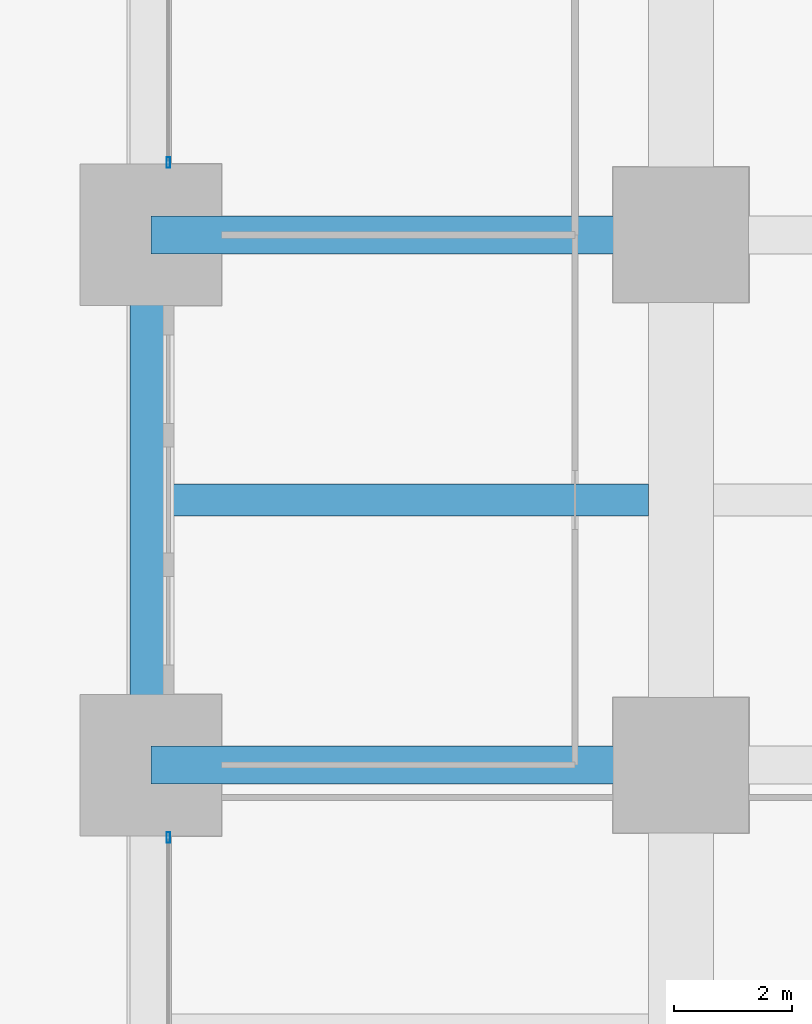
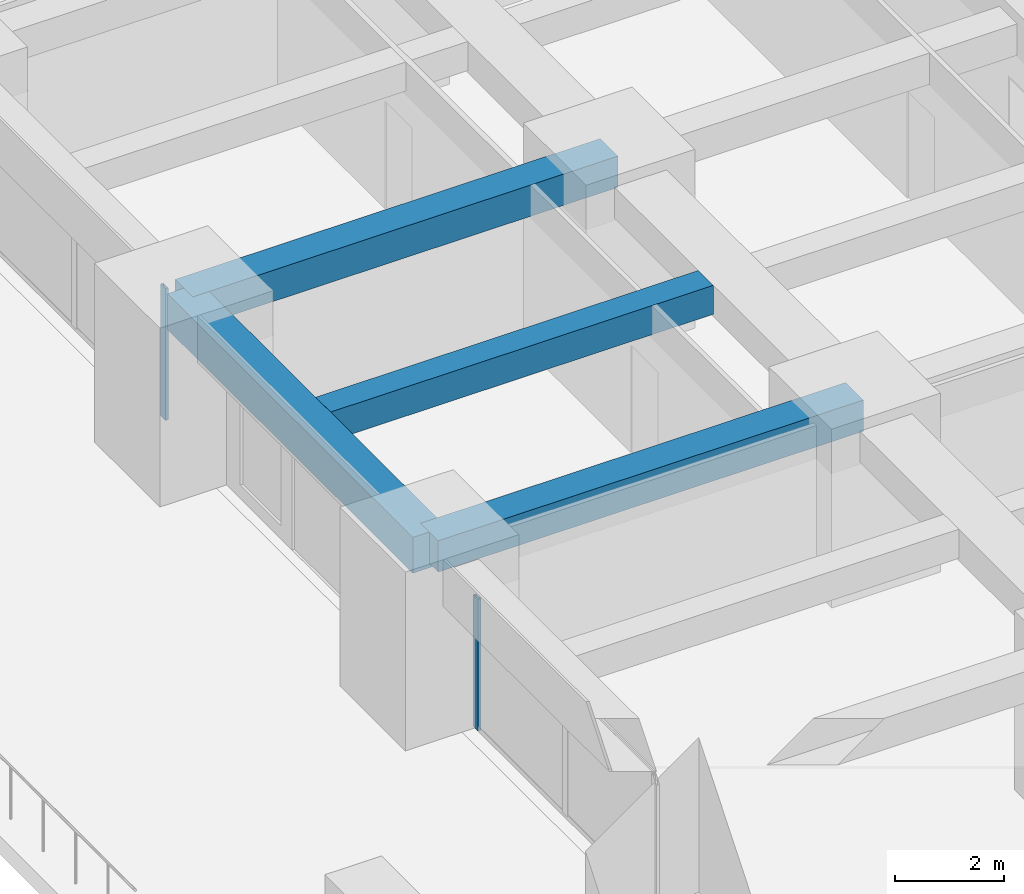
# One storey, part 7 of 38: 4 beams, 2 members, 2 elements without a shape of their own.
"""IFC4 building model written with IfcOpenShell, lengths in metres."""

from ifc_helpers import new_model, si_unit, direction, frame, origin, origin_2d, place, context, subcontext, project, spatial, rectangle, hollow_rectangle, extrude, material, material_profile, profile_set, type_object, element, aggregate, save


model = new_model("IFC4")

# Units and contexts
model_context = context("Model", 3, precision=1e-05, world=origin(), true_north=direction((0.0, 1.0)))
body_context = subcontext(model_context, "Body", "Model", "MODEL_VIEW")
ifc_project = project(units=[si_unit("LENGTHUNIT", "METRE"), si_unit("AREAUNIT", "SQUARE_METRE"), si_unit("VOLUMEUNIT", "CUBIC_METRE"), si_unit("PLANEANGLEUNIT", "RADIAN"), si_unit("MASSUNIT", "GRAM", prefix="KILO")], contexts=[model_context])

# Site, building, storey
site_placement = place(None, origin())
site = spatial("IfcSite", under=ifc_project, at=site_placement, CompositionType="ELEMENT")
building_placement = place(site_placement, origin())
building = spatial("IfcBuilding", under=site, at=building_placement, Name="Zorevar Civic Tower", CompositionType="ELEMENT")
storey_placement = place(building_placement, frame((0.0, 0.0, 15.800048828125)))
storey = spatial("IfcBuildingStorey", under=building, at=storey_placement, Name="L03", CompositionType="ELEMENT", Elevation=15.800048828125)

# Beams
ifc_material_1 = material(Name="Concrete C50/60", Category="concrete")
ifc_material_profile_1 = material_profile(ifc_material_1, rectangle(XDim=0.550048828125, YDim=0.64990234375, at=origin_2d()), Name="RC 550x650")
ifc_profile_set_1 = profile_set([ifc_material_profile_1], Name="Concrete C50/60")
beam_type_1 = type_object("IfcBeamType", Name="Beam RC 550x650", PredefinedType="BEAM", material=ifc_profile_set_1)
beam_1_placement = place(storey_placement, frame((0.35009765625, 22.5, 3.425048828125), z_axis=(1.0, 0.0, 0.0), x_axis=(0.0, 1.0, 0.0)))
element("IfcBeam", 1, at=beam_1_placement, inside=storey, type_object=beam_type_1, Name="Secondary beam L04", PredefinedType="BEAM", context=body_context, shape_type="SweptSolid", body=[
    extrude(rectangle(XDim=0.550048828125, YDim=0.64990234375, at=origin_2d()), origin(), (0.0, 0.0, 1.0), 8.099853515625),
])
ifc_material_2 = material(Name="Concrete C50/60", Category="concrete")
ifc_material_profile_2 = material_profile(ifc_material_2, rectangle(XDim=0.64990234375, YDim=0.699951171875, at=origin_2d()), Name="RC 650x700")
ifc_profile_set_2 = profile_set([ifc_material_profile_2], Name="Concrete C50/60")
beam_type_2 = type_object("IfcBeamType", Name="Beam RC 650x700", PredefinedType="BEAM", material=ifc_profile_set_2)
for number, where, z_axis, x_axis, name in (
    (2, (0.0, 18.0, 3.39990234375), (1.0, 0.0, 0.0), (0.0, 1.0, 0.0), "Girder L04"),
    (3, (0.0, 27.0, 3.39990234375), (1.0, 0.0, 0.0), (0.0, 1.0, 0.0), "Girder L04"),
):
    element("IfcBeam", number, at=place(storey_placement, frame(where, z_axis=z_axis, x_axis=x_axis)), inside=storey, type_object=beam_type_2, Name=name, PredefinedType="BEAM", context=body_context, shape_type="SweptSolid", body=[
        extrude(rectangle(XDim=0.64990234375, YDim=0.699951171875, at=origin_2d()), origin(), (0.0, 0.0, 1.0), 9.0),
    ])

# Curtain wall, member
ifc_material_3 = material(Name="Dark grey solar-control glass in black aluminium frame", Category="aluminium")
curtain_wall_type = type_object("IfcCurtainWallType", Name="Curtain wall CW2 low zone", PredefinedType="NOTDEFINED", material=ifc_material_3)
curtain_wall_1_placement = place(storey_placement, origin())
curtain_wall_1 = element("IfcCurtainWall", 4, at=curtain_wall_1_placement, inside=storey, type_object=curtain_wall_type, Name="CW2 L03", PredefinedType="NOTDEFINED")
ifc_material_4 = material(Name="Aluminium, black anodised", Category="aluminium")
ifc_material_profile_3 = material_profile(ifc_material_4, hollow_rectangle(XDim=0.06005859375, YDim=0.179931640625, WallThickness=0.00390625, at=origin_2d()), Name="AL 180x60x4")
ifc_profile_set_3 = profile_set([ifc_material_profile_3], Name="Aluminium, black anodised")
member_type = type_object("IfcMemberType", Name="CW2 mullion AL 180x60x4", PredefinedType="MULLION", material=ifc_profile_set_3)
member_1_placement = place(storey_placement, frame((0.300048828125, 16.77001953125, 0.0), z_axis=(0.0, 0.0, 1.0), x_axis=(-1.0, 0.0, 0.0)))
member_1 = element("IfcMember", 5, at=member_1_placement, type_object=member_type, Name="CW2 mullion 3", PredefinedType="MULLION", context=body_context, shape_type="SweptSolid", body=[
    extrude(hollow_rectangle(XDim=0.06005859375, YDim=0.179931640625, WallThickness=0.00390625, at=origin_2d()), origin(), (0.0, 0.0, 1.0), 2.949951171875),
])
aggregate(curtain_wall_1, [member_1])

curtain_wall_2_placement = place(storey_placement, origin())
curtain_wall_2 = element("IfcCurtainWall", 6, at=curtain_wall_2_placement, inside=storey, type_object=curtain_wall_type, Name="CW2 L03", PredefinedType="NOTDEFINED")
member_2_placement = place(storey_placement, frame((0.300048828125, 28.22998046875, 0.0), z_axis=(0.0, 0.0, 1.0), x_axis=(-1.0, 0.0, 0.0)))
member_2 = element("IfcMember", 7, at=member_2_placement, type_object=member_type, Name="CW2 mullion 1", PredefinedType="MULLION", context=body_context, shape_type="SweptSolid", body=[
    extrude(hollow_rectangle(XDim=0.06005859375, YDim=0.179931640625, WallThickness=0.00390625, at=origin_2d()), origin(), (0.0, 0.0, 1.0), 2.949951171875),
])
aggregate(curtain_wall_2, [member_2])

# Beam
ifc_material_5 = material(Name="Concrete C50/60", Category="concrete")
ifc_material_profile_4 = material_profile(ifc_material_5, rectangle(XDim=0.699951171875, YDim=0.800048828125, at=origin_2d()), Name="RC 700x800")
ifc_profile_set_4 = profile_set([ifc_material_profile_4], Name="Concrete C50/60")
beam_type_3 = type_object("IfcBeamType", Name="Edge beam RC 700x800", PredefinedType="SPANDREL", material=ifc_profile_set_4)
beam_2_placement = place(storey_placement, frame((0.0, 18.0, 3.349853515625), z_axis=(0.0, 1.0, 0.0), x_axis=(-1.0, 0.0, 0.0)))
element("IfcBeam", 8, at=beam_2_placement, inside=storey, type_object=beam_type_3, Name="Edge beam L04", PredefinedType="SPANDREL", context=body_context, shape_type="SweptSolid", body=[
    extrude(rectangle(XDim=0.699951171875, YDim=0.800048828125, at=origin_2d()), origin(), (0.0, 0.0, 1.0), 9.0),
])

save(model, "model.ifc")
